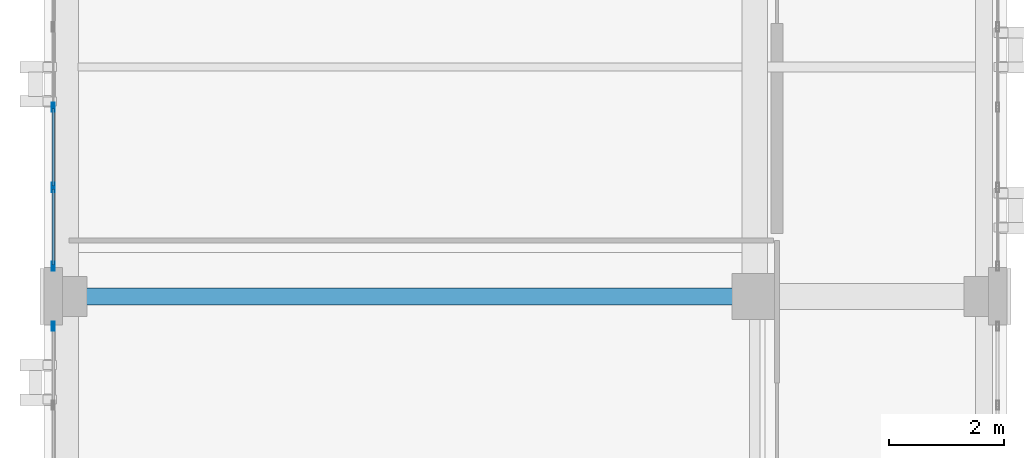
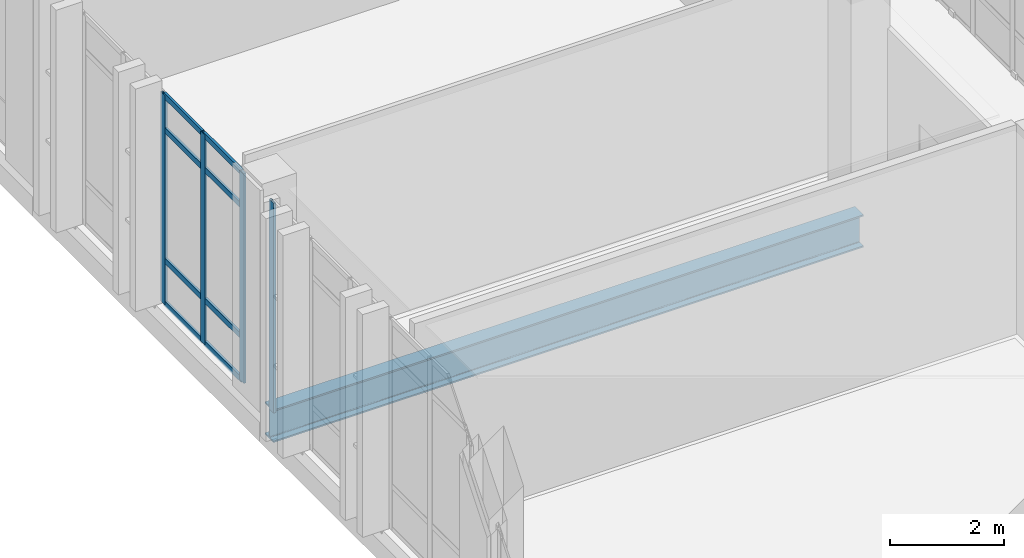
# One storey, part 66 of 189: 12 members, 1 beam, 2 elements without a shape of their own.
"""IFC4 building model written with IfcOpenShell, lengths in metres."""

import ifcopenshell
import ifcopenshell.guid

model = None  # the IFC model being written
_history = None  # IfcOwnerHistory: only IFC2X3 demands one
_inside = {}  # id of a spatial element -> (the spatial element, [elements in it])
_under = {}  # id of a project, library or spatial element -> (it, [spatial elements below it])
_declared = {}  # id of a project -> (the project, [libraries it declares])
_typed = {}  # id of a type object -> (the type object, [elements of that type])
_made_of = {}  # id of a material, layer set ... -> (it, [elements and type objects made of it])


def new_model(schema):
    """Start an empty IFC model of exactly this schema.

    Asked for "IFC4X3", IfcOpenShell would pick the latest addendum, in which some entities
    have other attributes; the version numbers below select the first issue.
    IFC2X3 requires an IfcOwnerHistory on every rooted entity: one is made here for all.
    """
    global model, _history
    if schema == "IFC4X3":
        model = ifcopenshell.file(schema_version=(4, 3, 0, 0))
    else:
        model = ifcopenshell.file(schema=schema)
    _inside.clear()
    _under.clear()
    _declared.clear()
    _typed.clear()
    _made_of.clear()
    _history = None
    if model.schema == "IFC2X3":
        org = make("IfcOrganization", Name="unknown")
        user = make(
            "IfcPersonAndOrganization",
            ThePerson=make("IfcPerson", FamilyName="unknown"),
            TheOrganization=org,
        )
        app = make(
            "IfcApplication",
            ApplicationDeveloper=org,
            Version="unknown",
            ApplicationFullName="unknown",
            ApplicationIdentifier="unknown",
        )
        _history = make(
            "IfcOwnerHistory",
            OwningUser=user,
            OwningApplication=app,
            ChangeAction="ADDED",
            CreationDate=0,
        )
    return model


def make(cls, **values):
    """One entity of the class cls with the attributes given. An attribute that is None is left unset."""
    return model.create_entity(
        cls, **{name: value for name, value in values.items() if value is not None}
    )


def rooted(cls, **values):
    """An entity with a GlobalId (a new one), such as an element, a storey or a relation."""
    return make(cls, GlobalId=ifcopenshell.guid.new(), OwnerHistory=_history, **values)


def si_unit(unit_type, name, prefix=None):
    """IfcSIUnit, for example si_unit("LENGTHUNIT", "METRE", prefix="MILLI")."""
    return make("IfcSIUnit", UnitType=unit_type, Prefix=prefix, Name=name)


def assignment(units):
    """IfcUnitAssignment: the units of a project."""
    return None if units is None else make("IfcUnitAssignment", Units=units)


def point(xyz):
    """IfcCartesianPoint."""
    return None if xyz is None else make("IfcCartesianPoint", Coordinates=xyz)


def direction(xyz):
    """IfcDirection."""
    return None if xyz is None else make("IfcDirection", DirectionRatios=xyz)


def frame(location, z_axis=None, x_axis=None):
    """IfcAxis2Placement3D, a coordinate frame: its origin and axes. An axis left out is left unset."""
    return make(
        "IfcAxis2Placement3D",
        Location=point(location),
        Axis=direction(z_axis),
        RefDirection=direction(x_axis),
    )


def frame_2d(location, x_axis=None):
    """IfcAxis2Placement2D, a coordinate frame in the plane: its origin and x axis."""
    return make(
        "IfcAxis2Placement2D", Location=point(location), RefDirection=direction(x_axis)
    )


def origin():
    """The frame at (0, 0, 0) with its axes left unset."""
    return frame((0.0, 0.0, 0.0))


def origin_2d():
    """The frame at (0, 0) in the plane with its x axis left unset."""
    return frame_2d((0.0, 0.0))


def place(relative_to, where):
    """IfcLocalPlacement: puts the frame where relative to a parent placement (None: the world)."""
    return make(
        "IfcLocalPlacement", PlacementRelTo=relative_to, RelativePlacement=where
    )


def context(
    kind, dimensions, precision=None, world=None, true_north=None, identifier=None
):
    """IfcGeometricRepresentationContext, for example the 3D "Model" context."""
    return make(
        "IfcGeometricRepresentationContext",
        ContextIdentifier=identifier,
        ContextType=kind,
        CoordinateSpaceDimension=dimensions,
        Precision=precision,
        WorldCoordinateSystem=world,
        TrueNorth=true_north,
    )


def subcontext(parent, identifier, kind, view, scale=None):
    """IfcGeometricRepresentationSubContext, for example "Body" below "Model"."""
    return make(
        "IfcGeometricRepresentationSubContext",
        ContextIdentifier=identifier,
        ContextType=kind,
        ParentContext=parent,
        TargetScale=scale,
        TargetView=view,
    )


def project(units=None, contexts=None):
    """IfcProject with its units and contexts."""
    return rooted(
        "IfcProject",
        Name="project",
        RepresentationContexts=contexts,
        UnitsInContext=assignment(units),
    )


def spatial(cls, under=None, at=None, **own):
    """A site, building, storey or space (cls), placed at a placement, below another one or the project."""
    s = rooted(cls, ObjectPlacement=at, **own)
    if under is not None:
        _under.setdefault(under.id(), (under, []))[1].append(s)
    return s


def profile(cls, at=None, kind="AREA", **sizes):
    """A parametric profile (cls). Its sizes go by their IFC names, for example OverallWidth=200.0."""
    return make(cls, ProfileType=kind, Position=at, **sizes)


def hollow_rectangle(**sizes):
    """IfcRectangleHollowProfileDef."""
    return profile("IfcRectangleHollowProfileDef", **sizes)


def i_section(**sizes):
    """IfcIShapeProfileDef."""
    return profile("IfcIShapeProfileDef", **sizes)


def extrude(swept, where, along, depth):
    """IfcExtrudedAreaSolid: the profile swept, set in the frame where, extruded along a direction by depth."""
    return make(
        "IfcExtrudedAreaSolid",
        SweptArea=swept,
        Position=where,
        ExtrudedDirection=direction(along),
        Depth=depth,
    )


def shape(context_of_items, identifier, shape_type, items):
    """IfcShapeRepresentation: the items that make up one representation, for example the "Body"."""
    return make(
        "IfcShapeRepresentation",
        ContextOfItems=context_of_items,
        RepresentationIdentifier=identifier,
        RepresentationType=shape_type,
        Items=items,
    )


def material(Name=None, Category=None):
    """IfcMaterial."""
    return make("IfcMaterial", Name=Name, Category=Category)


def layer(
    of_material, thickness, ventilated=None, Name=None, Category=None, Priority=None
):
    """IfcMaterialLayer: one layer of a wall or slab, of a material (None: an air gap)."""
    return make(
        "IfcMaterialLayer",
        Material=of_material,
        LayerThickness=thickness,
        IsVentilated=ventilated,
        Name=Name,
        Category=Category,
        Priority=Priority,
    )


def layer_set(layers, Name=None):
    """IfcMaterialLayerSet."""
    return make("IfcMaterialLayerSet", MaterialLayers=layers, LayerSetName=Name)


def material_profile(
    of_material, cross_section, Name=None, Category=None, Priority=None
):
    """IfcMaterialProfile: a cross section and its material."""
    return make(
        "IfcMaterialProfile",
        Name=Name,
        Material=of_material,
        Profile=cross_section,
        Priority=Priority,
        Category=Category,
    )


def profile_set(profiles, Name=None, composite=None):
    """IfcMaterialProfileSet."""
    return make(
        "IfcMaterialProfileSet",
        Name=Name,
        MaterialProfiles=profiles,
        CompositeProfile=composite,
    )


def made_of(thing, what):
    """Note that an element or type object is made of a material, layer set ...; save() writes the relation."""
    if what is not None:
        _made_of.setdefault(what.id(), (what, []))[1].append(thing)
    return thing


def type_object(cls, material=None, **own):
    """A type object (cls), such as IfcWallType, which elements share."""
    return made_of(rooted(cls, **own), material)


def element(
    cls,
    number,
    at=None,
    inside=None,
    cuts=None,
    type_object=None,
    material=None,
    context=None,
    identifier="Body",
    shape_type=None,
    held_by="IfcProductDefinitionShape",
    body=None,
    shapes=None,
    **own,
):
    """One element of the class cls, such as IfcWall. Its Tag is "e" and its number.

    at: its placement. inside: the storey or other place that contains it. cuts: it is an
    opening in that element (IfcRelVoidsElement). A single representation is given by context,
    identifier, shape_type and body (its items); several are given by shapes. held_by: the class
    of the entity that holds the representations. save() writes the other relations.
    """
    e = rooted(cls, Tag="e%d" % number, ObjectPlacement=at, **own)
    if body is not None:
        shapes = [shape(context, identifier, shape_type, body)]
    if shapes is not None:
        e.Representation = make(held_by, Representations=shapes)
    if inside is not None:
        _inside.setdefault(inside.id(), (inside, []))[1].append(e)
    if cuts is not None:
        rooted(
            "IfcRelVoidsElement", RelatingBuildingElement=cuts, RelatedOpeningElement=e
        )
    if type_object is not None:
        _typed.setdefault(type_object.id(), (type_object, []))[1].append(e)
    return made_of(e, material)


def aggregate(whole, parts):
    """IfcRelAggregates: a whole, such as a stair, and the parts it consists of."""
    return rooted("IfcRelAggregates", RelatingObject=whole, RelatedObjects=parts)


def save(model, path):
    """Write the relations noted so far, then the file.

    IfcRelAggregates (storeys below a building ...), IfcRelContainedInSpatialStructure (elements
    in a storey), IfcRelDefinesByType, IfcRelAssociatesMaterial and IfcRelDeclares: one each for
    every whole, place, type object, material and project.
    """
    for whole, parts in _under.values():
        aggregate(whole, parts)
    for where, things in _inside.values():
        rooted(
            "IfcRelContainedInSpatialStructure",
            RelatedElements=things,
            RelatingStructure=where,
        )
    for kind, things in _typed.values():
        rooted("IfcRelDefinesByType", RelatedObjects=things, RelatingType=kind)
    for what, things in _made_of.values():
        rooted("IfcRelAssociatesMaterial", RelatedObjects=things, RelatingMaterial=what)
    for by, libraries in _declared.values():
        rooted("IfcRelDeclares", RelatingContext=by, RelatedDefinitions=libraries)
    model.write(path)


model = new_model("IFC4")

# Units and contexts
model_context = context("Model", 3, precision=1e-05, world=origin(), true_north=direction((0.0, 1.0)))
body_context = subcontext(model_context, "Body", "Model", "MODEL_VIEW")
ifc_project = project(units=[si_unit("LENGTHUNIT", "METRE"), si_unit("AREAUNIT", "SQUARE_METRE"), si_unit("VOLUMEUNIT", "CUBIC_METRE"), si_unit("PLANEANGLEUNIT", "RADIAN"), si_unit("MASSUNIT", "GRAM", prefix="KILO")], contexts=[model_context])

# Site, building, storey
site_placement = place(None, origin())
site = spatial("IfcSite", under=ifc_project, at=site_placement, CompositionType="ELEMENT")
building_placement = place(site_placement, origin())
building = spatial("IfcBuilding", under=site, at=building_placement, Name="Qalavern Law Courts", CompositionType="ELEMENT")
storey_placement = place(building_placement, frame((0.0, 0.0, 5.39990234375)))
storey = spatial("IfcBuildingStorey", under=building, at=storey_placement, Name="L01", CompositionType="ELEMENT", Elevation=5.39990234375)

# Curtain wall, members
ifc_material_1 = material(Name="Anodised aluminium and insulated glazing", Category="aluminium")
ifc_layer = layer(ifc_material_1, 0.172119140625)
ifc_layer_set = layer_set([ifc_layer], Name="Anodised aluminium and insulated glazing")
curtain_wall_type = type_object("IfcCurtainWallType", Name="ENV-CW-COURT", PredefinedType="USERDEFINED", material=ifc_layer_set)
curtain_wall_1_placement = place(storey_placement, origin())
curtain_wall_1 = element("IfcCurtainWall", 1, at=curtain_wall_1_placement, inside=storey, type_object=curtain_wall_type, Name="V3 unitised curtain wall L01 west 4", ObjectType="UNITISED CURTAIN WALL", PredefinedType="USERDEFINED")
ifc_material_2 = material(Name="Anodised aluminium", Category="aluminium")
ifc_material_profile_1 = material_profile(ifc_material_2, hollow_rectangle(XDim=0.048095703125, YDim=0.159912109375, WallThickness=0.00390625, at=origin_2d()), Name="ALU MULLION 48x160")
ifc_profile_set_1 = profile_set([ifc_material_profile_1], Name="Anodised aluminium")
member_type_1 = type_object("IfcMemberType", Name="ENV-CWM-48x160", PredefinedType="MULLION", material=ifc_profile_set_1)
member_1_placement = place(storey_placement, frame((2.16259765625, 68.699951171875, 0.0), z_axis=(0.0, 0.0, 1.0), x_axis=(1.0, 0.0, 0.0)))
member_1 = element("IfcMember", 2, at=member_1_placement, type_object=member_type_1, Name="CW-03 mullion 4", PredefinedType="MULLION", context=body_context, shape_type="SweptSolid", body=[
    extrude(hollow_rectangle(XDim=0.048095703125, YDim=0.159912109375, WallThickness=0.00390625, at=origin_2d()), origin(), (0.0, 0.0, 1.0), 4.510009765625),
])
member_2_placement = place(storey_placement, frame((2.16259765625, 67.300048828125, 0.0), z_axis=(0.0, 0.0, 1.0), x_axis=(1.0, 0.0, 0.0)))
member_2 = element("IfcMember", 3, at=member_2_placement, type_object=member_type_1, Name="CW-03 mullion 5", PredefinedType="MULLION", context=body_context, shape_type="SweptSolid", body=[
    extrude(hollow_rectangle(XDim=0.048095703125, YDim=0.159912109375, WallThickness=0.00390625, at=origin_2d()), origin(), (0.0, 0.0, 1.0), 4.510009765625),
])
member_3_placement = place(storey_placement, frame((2.16259765625, 65.924072265625, 0.0), z_axis=(0.0, 0.0, 1.0), x_axis=(1.0, 0.0, 0.0)))
member_3 = element("IfcMember", 4, at=member_3_placement, type_object=member_type_1, Name="CW-03 mullion 6", PredefinedType="MULLION", context=body_context, shape_type="SweptSolid", body=[
    extrude(hollow_rectangle(XDim=0.048095703125, YDim=0.159912109375, WallThickness=0.00390625, at=origin_2d()), origin(), (0.0, 0.0, 1.0), 4.510009765625),
])

# Curtain wall, member
curtain_wall_2_placement = place(storey_placement, origin())
curtain_wall_2 = element("IfcCurtainWall", 5, at=curtain_wall_2_placement, inside=storey, type_object=curtain_wall_type, Name="V3 unitised curtain wall L01 west 5", ObjectType="UNITISED CURTAIN WALL", PredefinedType="USERDEFINED")
member_4_placement = place(storey_placement, frame((2.16259765625, 64.8759765625, 0.0), z_axis=(0.0, 0.0, 1.0), x_axis=(1.0, 0.0, 0.0)))
member_4 = element("IfcMember", 6, at=member_4_placement, type_object=member_type_1, Name="CW-03 mullion 1", PredefinedType="MULLION", context=body_context, shape_type="SweptSolid", body=[
    extrude(hollow_rectangle(XDim=0.048095703125, YDim=0.159912109375, WallThickness=0.00390625, at=origin_2d()), origin(), (0.0, 0.0, 1.0), 4.510009765625),
])
aggregate(curtain_wall_2, [member_4])

# Member
ifc_material_profile_2 = material_profile(ifc_material_2, hollow_rectangle(XDim=0.048095703125, YDim=0.1201171875, WallThickness=0.00390625, at=origin_2d()), Name="ALU TRANSOM 48x120")
ifc_profile_set_2 = profile_set([ifc_material_profile_2], Name="Anodised aluminium")
member_type_2 = type_object("IfcMemberType", Name="ENV-CWT-48x120", PredefinedType="USERDEFINED", material=ifc_profile_set_2)
member_5_placement = place(storey_placement, frame((2.16259765625, 68.676025390625, 0.024169921875), z_axis=(0.0, -1.0, 0.0), x_axis=(1.0, 0.0, 0.0)))
member_5 = element("IfcMember", 7, at=member_5_placement, type_object=member_type_2, Name="CW-03 transom 4.1", ObjectType="TRANSOM", PredefinedType="USERDEFINED", context=body_context, shape_type="SweptSolid", body=[
    extrude(hollow_rectangle(XDim=0.048095703125, YDim=0.1201171875, WallThickness=0.00390625, at=origin_2d()), origin(), (0.0, 0.0, 1.0), 1.35205078125),
])

member_6_placement = place(storey_placement, frame((2.16259765625, 68.676025390625, 0.9501953125), z_axis=(0.0, -1.0, 0.0), x_axis=(1.0, 0.0, 0.0)))
member_6 = element("IfcMember", 8, at=member_6_placement, type_object=member_type_2, Name="CW-03 transom 4.2", ObjectType="TRANSOM", PredefinedType="USERDEFINED", context=body_context, shape_type="SweptSolid", body=[
    extrude(hollow_rectangle(XDim=0.048095703125, YDim=0.1201171875, WallThickness=0.00390625, at=origin_2d()), origin(), (0.0, 0.0, 1.0), 1.35205078125),
])

member_7_placement = place(storey_placement, frame((2.16259765625, 68.676025390625, 3.760009765625), z_axis=(0.0, -1.0, 0.0), x_axis=(1.0, 0.0, 0.0)))
member_7 = element("IfcMember", 9, at=member_7_placement, type_object=member_type_2, Name="CW-03 transom 4.3", ObjectType="TRANSOM", PredefinedType="USERDEFINED", context=body_context, shape_type="SweptSolid", body=[
    extrude(hollow_rectangle(XDim=0.048095703125, YDim=0.1201171875, WallThickness=0.00390625, at=origin_2d()), origin(), (0.0, 0.0, 1.0), 1.35205078125),
])

member_8_placement = place(storey_placement, frame((2.16259765625, 68.676025390625, 4.486083984375), z_axis=(0.0, -1.0, 0.0), x_axis=(1.0, 0.0, 0.0)))
member_8 = element("IfcMember", 10, at=member_8_placement, type_object=member_type_2, Name="CW-03 transom 4.4", ObjectType="TRANSOM", PredefinedType="USERDEFINED", context=body_context, shape_type="SweptSolid", body=[
    extrude(hollow_rectangle(XDim=0.048095703125, YDim=0.1201171875, WallThickness=0.00390625, at=origin_2d()), origin(), (0.0, 0.0, 1.0), 1.35205078125),
])

member_9_placement = place(storey_placement, frame((2.16259765625, 67.27587890625, 0.024169921875), z_axis=(0.0, -1.0, 0.0), x_axis=(1.0, 0.0, 0.0)))
member_9 = element("IfcMember", 11, at=member_9_placement, type_object=member_type_2, Name="CW-03 transom 5.1", ObjectType="TRANSOM", PredefinedType="USERDEFINED", context=body_context, shape_type="SweptSolid", body=[
    extrude(hollow_rectangle(XDim=0.048095703125, YDim=0.1201171875, WallThickness=0.00390625, at=origin_2d()), origin(), (0.0, 0.0, 1.0), 1.327880859375),
])

member_10_placement = place(storey_placement, frame((2.16259765625, 67.27587890625, 0.9501953125), z_axis=(0.0, -1.0, 0.0), x_axis=(1.0, 0.0, 0.0)))
member_10 = element("IfcMember", 12, at=member_10_placement, type_object=member_type_2, Name="CW-03 transom 5.2", ObjectType="TRANSOM", PredefinedType="USERDEFINED", context=body_context, shape_type="SweptSolid", body=[
    extrude(hollow_rectangle(XDim=0.048095703125, YDim=0.1201171875, WallThickness=0.00390625, at=origin_2d()), origin(), (0.0, 0.0, 1.0), 1.327880859375),
])

member_11_placement = place(storey_placement, frame((2.16259765625, 67.27587890625, 3.760009765625), z_axis=(0.0, -1.0, 0.0), x_axis=(1.0, 0.0, 0.0)))
member_11 = element("IfcMember", 13, at=member_11_placement, type_object=member_type_2, Name="CW-03 transom 5.3", ObjectType="TRANSOM", PredefinedType="USERDEFINED", context=body_context, shape_type="SweptSolid", body=[
    extrude(hollow_rectangle(XDim=0.048095703125, YDim=0.1201171875, WallThickness=0.00390625, at=origin_2d()), origin(), (0.0, 0.0, 1.0), 1.327880859375),
])

member_12_placement = place(storey_placement, frame((2.16259765625, 67.27587890625, 4.486083984375), z_axis=(0.0, -1.0, 0.0), x_axis=(1.0, 0.0, 0.0)))
member_12 = element("IfcMember", 14, at=member_12_placement, type_object=member_type_2, Name="CW-03 transom 5.4", ObjectType="TRANSOM", PredefinedType="USERDEFINED", context=body_context, shape_type="SweptSolid", body=[
    extrude(hollow_rectangle(XDim=0.048095703125, YDim=0.1201171875, WallThickness=0.00390625, at=origin_2d()), origin(), (0.0, 0.0, 1.0), 1.327880859375),
])

aggregate(curtain_wall_1, [member_1, member_2, member_3, member_5, member_6, member_7, member_8, member_9, member_10, member_11, member_12])

# Beam
ifc_material_3 = material(Name="Steel S355", Category="steel")
ifc_material_profile_3 = material_profile(ifc_material_3, i_section(OverallWidth=0.300048828125, OverallDepth=0.699951171875, WebThickness=0.01708984375, FlangeThickness=0.031982421875, FilletRadius=0.027099609375, at=origin_2d()), Name="HEB 700")
ifc_profile_set_3 = profile_set([ifc_material_profile_3], Name="Steel S355")
beam_type = type_object("IfcBeamType", Name="STR-BM-HEB700", PredefinedType="BEAM", material=ifc_profile_set_3)
beam_placement = place(storey_placement, frame((2.39990234375, 65.39990234375, -0.64990234375), z_axis=(1.0, 0.0, 0.0), x_axis=(0.0, 1.0, 0.0)))
element("IfcBeam", 15, at=beam_placement, inside=storey, type_object=beam_type, Name="V3 X-beam 4-1 L01", PredefinedType="BEAM", context=body_context, shape_type="SweptSolid", body=[
    extrude(i_section(OverallWidth=0.300048828125, OverallDepth=0.699951171875, WebThickness=0.01708984375, FlangeThickness=0.031982421875, FilletRadius=0.027099609375, at=origin_2d()), origin(), (0.0, 0.0, 1.0), 12.0),
])

save(model, "model.ifc")
